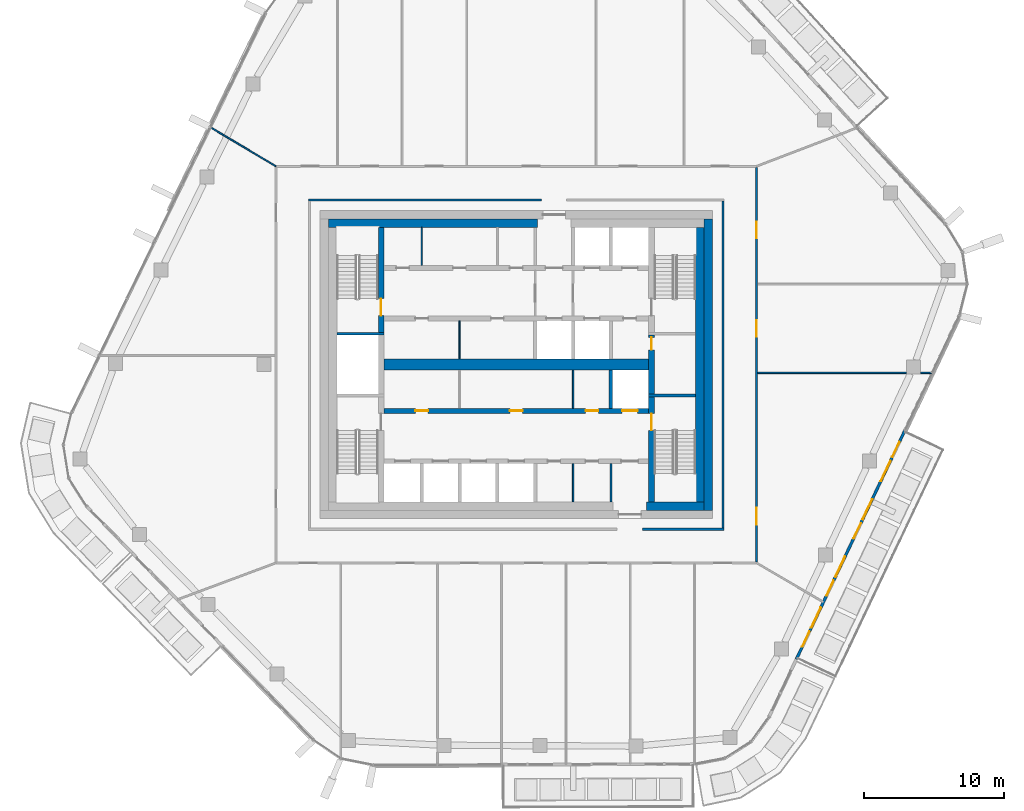
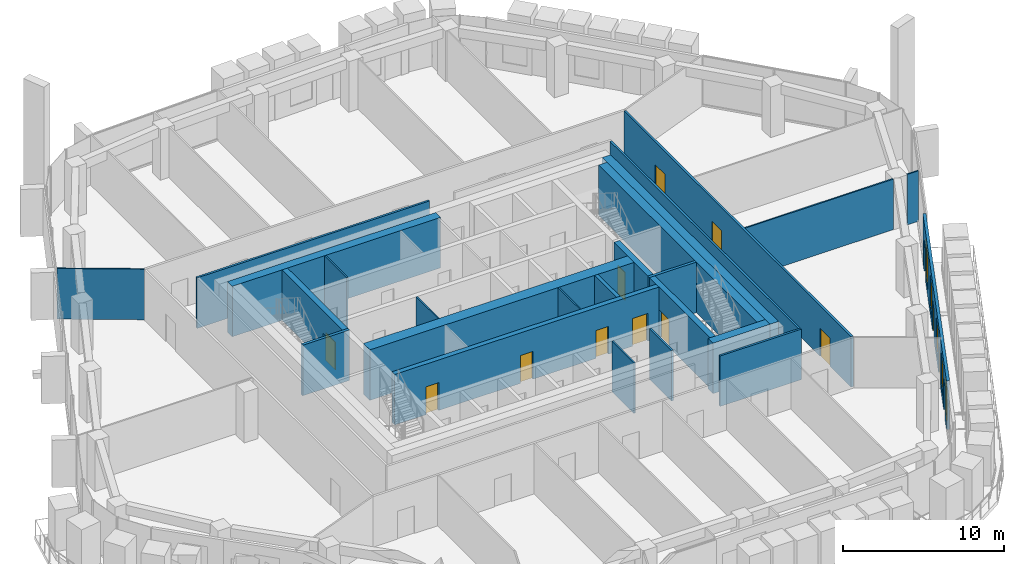
# One storey, part 14 of 24: 25 walls, 14 doors, 4 windows, 18 openings.
"""IFC4 building model written with IfcOpenShell, lengths in metres."""

from ifc_helpers import new_model, si_unit, direction, frame, frame_2d, origin, place, context, subcontext, project, spatial, rectangle, extrude, material, layer, layer_set, type_object, element, fill, save


model = new_model("IFC4")

# Units and contexts
model_context = context("Model", 3, precision=1e-05, world=origin(), true_north=direction((0.0, 1.0)))
body_context = subcontext(model_context, "Body", "Model", "MODEL_VIEW")
ifc_project = project(units=[si_unit("LENGTHUNIT", "METRE"), si_unit("AREAUNIT", "SQUARE_METRE"), si_unit("VOLUMEUNIT", "CUBIC_METRE"), si_unit("PLANEANGLEUNIT", "RADIAN"), si_unit("MASSUNIT", "GRAM", prefix="KILO")], contexts=[model_context])

# Site, building, storey
site_placement = place(None, origin())
site = spatial("IfcSite", under=ifc_project, at=site_placement, CompositionType="ELEMENT")
building_placement = place(site_placement, origin())
building = spatial("IfcBuilding", under=site, at=building_placement, Name="Dongbaek Canopy Tower", CompositionType="ELEMENT")
storey_placement = place(building_placement, frame((0.0, 0.0, 344.60009765625)))
storey = spatial("IfcBuildingStorey", under=building, at=storey_placement, Name="L74", CompositionType="ELEMENT", Elevation=344.60009765625)

# Wall
ifc_material_1 = material(Name="Concrete C60/75", Category="concrete")
ifc_layer_1 = layer(ifc_material_1, 0.800048828125)
ifc_layer_set_1 = layer_set([ifc_layer_1], Name="Core central wall 800 Concrete C60/75")
wall_type_1 = type_object("IfcWallType", Name="Core central wall 800 Concrete C60/75", PredefinedType="SHEAR", material=ifc_layer_set_1)
wall_1_placement = place(storey_placement, frame((-9.449951171875, 0.0, 0.0), z_axis=(0.0, 0.0, 1.0), x_axis=(1.0, 0.0, 0.0)))
element("IfcWall", 1, at=wall_1_placement, inside=storey, type_object=wall_type_1, Name="Core wall", PredefinedType="SHEAR", context=body_context, shape_type="SweptSolid", body=[
    extrude(rectangle(XDim=18.89990234375, YDim=0.800048828125, at=frame_2d((9.449951171875, 0.0))), origin(), (0.0, 0.0, 1.0), 3.81982421875),
])

# Wall, openings, doors
ifc_material_2 = material(Name="Concrete C60/75", Category="concrete")
ifc_layer_2 = layer(ifc_material_2, 0.35009765625)
ifc_layer_set_2 = layer_set([ifc_layer_2], Name="Core lobby wall 350 Concrete C60/75")
wall_type_2 = type_object("IfcWallType", Name="Core lobby wall 350 Concrete C60/75", PredefinedType="SHEAR", material=ifc_layer_set_2)
wall_2_placement = place(storey_placement, frame((-9.449951171875, -3.300048828125, 0.0), z_axis=(0.0, 0.0, 1.0), x_axis=(1.0, 0.0, 0.0)))
wall_2 = element("IfcWall", 2, at=wall_2_placement, inside=storey, type_object=wall_type_2, Name="Core wall", PredefinedType="SHEAR", context=body_context, shape_type="SweptSolid", body=[
    extrude(rectangle(XDim=18.89990234375, YDim=0.35009765625, at=frame_2d((9.449951171875, 0.0))), origin(), (0.0, 0.0, 1.0), 3.81982421875),
])
opening_1_placement = place(wall_2_placement, frame((17.0, 0.0, 0.0)))
opening_1 = element("IfcOpeningElement", 3, at=opening_1_placement, cuts=wall_2, Name="Opening L74-D027", PredefinedType="OPENING", context=body_context, shape_type="SweptSolid", body=[
    extrude(rectangle(XDim=1.10009765625, YDim=2.10009765625, at=frame_2d((0.550048828125, 1.050048828125))), frame((0.0, 0.18505859375, 0.0), z_axis=(0.0, -1.0, 0.0), x_axis=(1.0, 0.0, 0.0)), (0.0, 0.0, 1.0), 0.3701171875),
])
opening_2_placement = place(wall_2_placement, frame((2.25, 0.0, 0.0)))
opening_2 = element("IfcOpeningElement", 4, at=opening_2_placement, cuts=wall_2, Name="Opening L74-D039", PredefinedType="OPENING", context=body_context, shape_type="SweptSolid", body=[
    extrude(rectangle(XDim=0.89990234375, YDim=2.10009765625, at=frame_2d((0.449951171875, 1.050048828125))), frame((0.0, 0.18505859375, 0.0), z_axis=(0.0, -1.0, 0.0), x_axis=(1.0, 0.0, 0.0)), (0.0, 0.0, 1.0), 0.3701171875),
])
opening_3_placement = place(wall_2_placement, frame((9.0, 0.0, 0.0)))
opening_3 = element("IfcOpeningElement", 5, at=opening_3_placement, cuts=wall_2, Name="Opening L74-D040", PredefinedType="OPENING", context=body_context, shape_type="SweptSolid", body=[
    extrude(rectangle(XDim=0.89990234375, YDim=2.10009765625, at=frame_2d((0.449951171875, 1.050048828125))), frame((0.0, 0.18505859375, 0.0), z_axis=(0.0, -1.0, 0.0), x_axis=(1.0, 0.0, 0.0)), (0.0, 0.0, 1.0), 0.3701171875),
])
opening_4_placement = place(wall_2_placement, frame((14.39990234375, 0.0, 0.0)))
opening_4 = element("IfcOpeningElement", 6, at=opening_4_placement, cuts=wall_2, Name="Opening L74-D041", PredefinedType="OPENING", context=body_context, shape_type="SweptSolid", body=[
    extrude(rectangle(XDim=0.89990234375, YDim=2.10009765625, at=frame_2d((0.449951171875, 1.050048828125))), frame((0.0, 0.18505859375, 0.0), z_axis=(0.0, -1.0, 0.0), x_axis=(1.0, 0.0, 0.0)), (0.0, 0.0, 1.0), 0.3701171875),
])
ifc_material_3 = material(Name="Steel", Category="steel")
door_type_1 = type_object("IfcDoorType", Name="Core room door 900 x 2100", OperationType="SINGLE_SWING_LEFT", PredefinedType="DOOR", material=ifc_material_3)
door_1_placement = place(opening_2_placement, origin())
door_1 = element("IfcDoor", 7, at=door_1_placement, inside=storey, type_object=door_type_1, Name="Door L74-D039", OperationType="SINGLE_SWING_LEFT", OverallHeight=2.10009765625, OverallWidth=0.89990234375, PredefinedType="DOOR", context=body_context, shape_type="SweptSolid", body=[
    extrude(rectangle(XDim=0.89990234375, YDim=2.10009765625, at=frame_2d((0.449951171875, 1.050048828125))), frame((0.0, 0.02490234375, 0.0), z_axis=(0.0, -1.0, 0.0), x_axis=(1.0, 0.0, 0.0)), (0.0, 0.0, 1.0), 0.050048828125),
])
fill(opening_2, door_1)
door_2_placement = place(opening_3_placement, origin())
door_2 = element("IfcDoor", 8, at=door_2_placement, inside=storey, type_object=door_type_1, Name="Door L74-D040", OperationType="SINGLE_SWING_RIGHT", OverallHeight=2.10009765625, OverallWidth=0.89990234375, PredefinedType="DOOR", context=body_context, shape_type="SweptSolid", body=[
    extrude(rectangle(XDim=0.89990234375, YDim=2.10009765625, at=frame_2d((0.449951171875, 1.050048828125))), frame((0.0, 0.02490234375, 0.0), z_axis=(0.0, -1.0, 0.0), x_axis=(1.0, 0.0, 0.0)), (0.0, 0.0, 1.0), 0.050048828125),
])
fill(opening_3, door_2)
door_3_placement = place(opening_4_placement, origin())
door_3 = element("IfcDoor", 9, at=door_3_placement, inside=storey, type_object=door_type_1, Name="Door L74-D041", OperationType="SINGLE_SWING_LEFT", OverallHeight=2.10009765625, OverallWidth=0.89990234375, PredefinedType="DOOR", context=body_context, shape_type="SweptSolid", body=[
    extrude(rectangle(XDim=0.89990234375, YDim=2.10009765625, at=frame_2d((0.449951171875, 1.050048828125))), frame((0.0, 0.02490234375, 0.0), z_axis=(0.0, -1.0, 0.0), x_axis=(1.0, 0.0, 0.0)), (0.0, 0.0, 1.0), 0.050048828125),
])
fill(opening_4, door_3)
ifc_material_4 = material(Name="Stainless steel", Category="steel")
door_type_2 = type_object("IfcDoorType", Name="Lift landing door 1100 x 2100", OperationType="DOUBLE_DOOR_SLIDING", PredefinedType="DOOR", material=ifc_material_4)
door_4_placement = place(opening_1_placement, origin())
door_4 = element("IfcDoor", 10, at=door_4_placement, inside=storey, type_object=door_type_2, Name="Landing door SV2", OperationType="DOUBLE_DOOR_SLIDING", OverallHeight=2.10009765625, OverallWidth=1.10009765625, PredefinedType="DOOR", context=body_context, shape_type="SweptSolid", body=[
    extrude(rectangle(XDim=1.10009765625, YDim=2.10009765625, at=frame_2d((0.550048828125, 1.050048828125))), frame((0.0, 0.02490234375, 0.0), z_axis=(0.0, -1.0, 0.0), x_axis=(1.0, 0.0, 0.0)), (0.0, 0.0, 1.0), 0.050048828125),
])
fill(opening_1, door_4)

# Walls
ifc_material_5 = material(Name="Concrete C80/95", Category="concrete")
ifc_layer_3 = layer(ifc_material_5, 0.60009765625)
ifc_layer_set_3 = layer_set([ifc_layer_3], Name="Core outer wall 600 Concrete C80/95")
wall_type_3 = type_object("IfcWallType", Name="Core outer wall 600 Concrete C80/95", PredefinedType="SHEAR", material=ifc_layer_set_3)
wall_3_placement = place(storey_placement, frame((13.699951171875, 10.39990234375, 0.0), z_axis=(0.0, 0.0, 1.0), x_axis=(0.0, -1.0, 0.0)))
element("IfcWall", 11, at=wall_3_placement, inside=storey, type_object=wall_type_3, Name="Core wall", PredefinedType="SHEAR", context=body_context, shape_type="SweptSolid", body=[
    extrude(rectangle(XDim=20.7998046875, YDim=0.60009765625, at=frame_2d((10.39990234375, 0.0))), origin(), (0.0, 0.0, 1.0), 3.81982421875),
])
ifc_material_6 = material(Name="Concrete C60/75", Category="concrete")
ifc_layer_4 = layer(ifc_material_6, 0.60009765625)
ifc_layer_set_4 = layer_set([ifc_layer_4], Name="Core wall lining 600 Concrete C60/75")
wall_type_4 = type_object("IfcWallType", Name="Core wall lining 600 Concrete C60/75", PredefinedType="SHEAR", material=ifc_layer_set_4)
wall_4_placement = place(storey_placement, frame((-13.39990234375, 10.10009765625, 0.0), z_axis=(0.0, 0.0, 1.0), x_axis=(1.0, 0.0, 0.0)))
element("IfcWall", 12, at=wall_4_placement, inside=storey, type_object=wall_type_4, Name="Core wall lining", PredefinedType="SHEAR", context=body_context, shape_type="SweptSolid", body=[
    extrude(rectangle(XDim=14.89990234375, YDim=0.60009765625, at=frame_2d((7.449951171875, 0.0))), origin(), (0.0, 0.0, 1.0), 3.81982421875),
])
wall_5_placement = place(storey_placement, frame((13.39990234375, -10.10009765625, 0.0), z_axis=(0.0, 0.0, 1.0), x_axis=(-1.0, 0.0, 0.0)))
element("IfcWall", 13, at=wall_5_placement, inside=storey, type_object=wall_type_4, Name="Core wall lining", PredefinedType="SHEAR", context=body_context, shape_type="SweptSolid", body=[
    extrude(rectangle(XDim=4.099853515625, YDim=0.60009765625, at=frame_2d((2.0498046875, 0.0))), origin(), (0.0, 0.0, 1.0), 3.81982421875),
])
wall_6_placement = place(storey_placement, frame((13.10009765625, 9.800048828125, 0.0), z_axis=(0.0, 0.0, 1.0), x_axis=(0.0, -1.0, 0.0)))
element("IfcWall", 14, at=wall_6_placement, inside=storey, type_object=wall_type_4, Name="Core wall lining", PredefinedType="SHEAR", context=body_context, shape_type="SweptSolid", body=[
    extrude(rectangle(XDim=19.60009765625, YDim=0.60009765625, at=frame_2d((9.800048828125, 0.0))), origin(), (0.0, 0.0, 1.0), 3.81982421875),
])
ifc_material_7 = material(Name="Gypsum board partition, steel stud, 2 x 15 mm fire board", Category="steel")
ifc_layer_5 = layer(ifc_material_7, 0.14990234375)
ifc_layer_set_5 = layer_set([ifc_layer_5], Name="Fire-rated partition 150 gypsum board")
wall_type_5 = type_object("IfcWallType", Name="Fire-rated partition 150 gypsum board", PredefinedType="PARTITIONING", material=ifc_layer_set_5)
wall_7_placement = place(storey_placement, frame((9.0, -11.75, 0.0), z_axis=(0.0, 0.0, 1.0), x_axis=(1.0, 0.0, 0.0)))
element("IfcWall", 15, at=wall_7_placement, inside=storey, type_object=wall_type_5, Name="Corridor partition", PredefinedType="PARTITIONING", context=body_context, shape_type="SweptSolid", body=[
    extrude(rectangle(XDim=5.824951171875, YDim=0.14990234375, at=frame_2d((2.91259765625, 0.0))), origin(), (0.0, 0.0, 1.0), 3.81982421875),
])
wall_8_placement = place(storey_placement, frame((-14.824951171875, 11.75, 0.0), z_axis=(0.0, 0.0, 1.0), x_axis=(1.0, 0.0, 0.0)))
element("IfcWall", 16, at=wall_8_placement, inside=storey, type_object=wall_type_5, Name="Corridor partition", PredefinedType="PARTITIONING", context=body_context, shape_type="SweptSolid", body=[
    extrude(rectangle(XDim=16.625, YDim=0.14990234375, at=frame_2d((8.3125, 0.0))), origin(), (0.0, 0.0, 1.0), 3.81982421875),
])

# Wall, openings, doors
wall_9_placement = place(storey_placement, frame((17.14990234375, 14.074951171875, 0.0), z_axis=(0.0, 0.0, 1.0), x_axis=(0.0, -1.0, 0.0)))
wall_9 = element("IfcWall", 17, at=wall_9_placement, inside=storey, type_object=wall_type_5, Name="Corridor partition", PredefinedType="PARTITIONING", context=body_context, shape_type="SweptSolid", body=[
    extrude(rectangle(XDim=28.14990234375, YDim=0.14990234375, at=frame_2d((14.074951171875, 0.0))), origin(), (0.0, 0.0, 1.0), 3.81982421875),
])
opening_5_placement = place(wall_9_placement, frame((24.291748046875, 0.0, 0.0)))
opening_5 = element("IfcOpeningElement", 18, at=opening_5_placement, cuts=wall_9, Name="Opening L74-D009", PredefinedType="OPENING", context=body_context, shape_type="SweptSolid", body=[
    extrude(rectangle(XDim=1.199951171875, YDim=2.10009765625, at=frame_2d((0.60009765625, 1.050048828125))), frame((0.0, 0.0849609375, 0.0), z_axis=(0.0, -1.0, 0.0), x_axis=(1.0, 0.0, 0.0)), (0.0, 0.0, 1.0), 0.169921875),
])
opening_6_placement = place(wall_9_placement, frame((10.89794921875, 0.0, 0.0)))
opening_6 = element("IfcOpeningElement", 19, at=opening_6_placement, cuts=wall_9, Name="Opening L74-D010", PredefinedType="OPENING", context=body_context, shape_type="SweptSolid", body=[
    extrude(rectangle(XDim=1.199951171875, YDim=2.10009765625, at=frame_2d((0.60009765625, 1.050048828125))), frame((0.0, 0.0849609375, 0.0), z_axis=(0.0, -1.0, 0.0), x_axis=(1.0, 0.0, 0.0)), (0.0, 0.0, 1.0), 0.169921875),
])
opening_7_placement = place(wall_9_placement, frame((3.873291015625, 0.0, 0.0)))
opening_7 = element("IfcOpeningElement", 20, at=opening_7_placement, cuts=wall_9, Name="Opening L74-D011", PredefinedType="OPENING", context=body_context, shape_type="SweptSolid", body=[
    extrude(rectangle(XDim=1.199951171875, YDim=2.10009765625, at=frame_2d((0.60009765625, 1.050048828125))), frame((0.0, 0.0849609375, 0.0), z_axis=(0.0, -1.0, 0.0), x_axis=(1.0, 0.0, 0.0)), (0.0, 0.0, 1.0), 0.169921875),
])
ifc_material_8 = material(Name="Timber veneered door leaf", Category="wood")
door_type_3 = type_object("IfcDoorType", Name="Room door 1200 x 2100", OperationType="SINGLE_SWING_LEFT", PredefinedType="DOOR", material=ifc_material_8)
door_5_placement = place(opening_5_placement, origin())
door_5 = element("IfcDoor", 21, at=door_5_placement, inside=storey, type_object=door_type_3, Name="Door L74-D009", OperationType="SINGLE_SWING_RIGHT", OverallHeight=2.10009765625, OverallWidth=1.199951171875, PredefinedType="DOOR", context=body_context, shape_type="SweptSolid", body=[
    extrude(rectangle(XDim=1.199951171875, YDim=2.10009765625, at=frame_2d((0.60009765625, 1.050048828125))), frame((0.0, 0.02490234375, 0.0), z_axis=(0.0, -1.0, 0.0), x_axis=(1.0, 0.0, 0.0)), (0.0, 0.0, 1.0), 0.050048828125),
])
fill(opening_5, door_5)
door_6_placement = place(opening_6_placement, origin())
door_6 = element("IfcDoor", 22, at=door_6_placement, inside=storey, type_object=door_type_3, Name="Door L74-D010", OperationType="SINGLE_SWING_LEFT", OverallHeight=2.10009765625, OverallWidth=1.199951171875, PredefinedType="DOOR", context=body_context, shape_type="SweptSolid", body=[
    extrude(rectangle(XDim=1.199951171875, YDim=2.10009765625, at=frame_2d((0.60009765625, 1.050048828125))), frame((0.0, 0.02490234375, 0.0), z_axis=(0.0, -1.0, 0.0), x_axis=(1.0, 0.0, 0.0)), (0.0, 0.0, 1.0), 0.050048828125),
])
fill(opening_6, door_6)
door_7_placement = place(opening_7_placement, origin())
door_7 = element("IfcDoor", 23, at=door_7_placement, inside=storey, type_object=door_type_3, Name="Door L74-D011", OperationType="SINGLE_SWING_RIGHT", OverallHeight=2.10009765625, OverallWidth=1.199951171875, PredefinedType="DOOR", context=body_context, shape_type="SweptSolid", body=[
    extrude(rectangle(XDim=1.199951171875, YDim=2.10009765625, at=frame_2d((0.60009765625, 1.050048828125))), frame((0.0, 0.02490234375, 0.0), z_axis=(0.0, -1.0, 0.0), x_axis=(1.0, 0.0, 0.0)), (0.0, 0.0, 1.0), 0.050048828125),
])
fill(opening_7, door_7)

# Walls
wall_10_placement = place(storey_placement, frame((14.75, -11.675048828125, 0.0), z_axis=(0.0, 0.0, 1.0), x_axis=(0.0, 1.0, 0.0)))
element("IfcWall", 24, at=wall_10_placement, inside=storey, type_object=wall_type_5, Name="Corridor partition", PredefinedType="PARTITIONING", context=body_context, shape_type="SweptSolid", body=[
    extrude(rectangle(XDim=23.35009765625, YDim=0.14990234375, at=frame_2d((11.675048828125, 0.0))), origin(), (0.0, 0.0, 1.0), 3.81982421875),
])
wall_11_placement = place(storey_placement, frame((6.75, -9.800048828125, 0.0), z_axis=(0.0, 0.0, 1.0), x_axis=(0.0, 1.0, 0.0)))
element("IfcWall", 25, at=wall_11_placement, inside=storey, type_object=wall_type_5, Name="Fire lobby partition", PredefinedType="PARTITIONING", context=body_context, shape_type="SweptSolid", body=[
    extrude(rectangle(XDim=2.72509765625, YDim=0.14990234375, at=frame_2d((1.362548828125, 0.0))), origin(), (0.0, 0.0, 1.0), 3.81982421875),
])
ifc_material_9 = material(Name="Concrete C40/50", Category="concrete")
ifc_layer_6 = layer(ifc_material_9, 0.25)
ifc_layer_set_6 = layer_set([ifc_layer_6], Name="Lift shaft wall 250 Concrete C40/50")
wall_type_6 = type_object("IfcWallType", Name="Lift shaft wall 250 Concrete C40/50", PredefinedType="SOLIDWALL", material=ifc_layer_set_6)
wall_12_placement = place(storey_placement, frame((6.75, -3.125, 0.0), z_axis=(0.0, 0.0, 1.0), x_axis=(0.0, 1.0, 0.0)))
element("IfcWall", 26, at=wall_12_placement, inside=storey, type_object=wall_type_6, Name="Lift shaft wall", PredefinedType="SOLIDWALL", context=body_context, shape_type="SweptSolid", body=[
    extrude(rectangle(XDim=2.72509765625, YDim=0.25, at=frame_2d((1.362548828125, 0.0))), origin(), (0.0, 0.0, 1.0), 3.81982421875),
])
ifc_material_10 = material(Name="Gypsum board partition, steel stud, 2 x 12.5 mm board", Category="steel")
ifc_layer_7 = layer(ifc_material_10, 0.10009765625)
ifc_layer_set_7 = layer_set([ifc_layer_7], Name="Partition 100 gypsum board")
wall_type_7 = type_object("IfcWallType", Name="Partition 100 gypsum board", PredefinedType="PARTITIONING", material=ifc_layer_set_7)
wall_13_placement = place(storey_placement, frame((17.22509765625, -0.592041015625, 0.0), z_axis=(0.0, 0.0, 1.0), x_axis=(1.0, 0.0, 0.0)))
element("IfcWall", 27, at=wall_13_placement, inside=storey, type_object=wall_type_7, Name="Partition", PredefinedType="PARTITIONING", context=body_context, shape_type="SweptSolid", body=[
    extrude(rectangle(XDim=10.6259765625, YDim=0.10009765625, at=frame_2d((5.31298828125, 0.0))), origin(), (0.0, 0.0, 1.0), 3.81982421875),
])
wall_14_placement = place(storey_placement, frame((28.85107421875, -0.592041015625, 0.0), z_axis=(0.0, 0.0, 1.0), x_axis=(1.0, 0.0, 0.0)))
element("IfcWall", 28, at=wall_14_placement, inside=storey, type_object=wall_type_7, Name="Partition", PredefinedType="PARTITIONING", context=body_context, shape_type="SweptSolid", body=[
    extrude(rectangle(XDim=0.803466796875, YDim=0.10009765625, at=frame_2d((0.40185546875, 0.0))), origin(), (0.0, 0.0, 1.0), 3.81982421875),
])
wall_15_placement = place(storey_placement, frame((-21.827880859375, 16.93505859375, 0.0), z_axis=(0.0, 0.0, 1.0), x_axis=(0.859229054867, -0.51159107818, 0.0)))
element("IfcWall", 29, at=wall_15_placement, inside=storey, type_object=wall_type_7, Name="Partition", PredefinedType="PARTITIONING", context=body_context, shape_type="SweptSolid", body=[
    extrude(rectangle(XDim=5.444091796875, YDim=0.10009765625, at=frame_2d((2.72216796875, 0.0))), origin(), (0.0, 0.0, 1.0), 3.81982421875),
])
for number, where, z_axis, x_axis, name in (
    (30, (4.050048828125, -9.800048828125, 0.0), (0.0, 0.0, 1.0), (0.0, 1.0, 0.0), "Core partition"),
    (31, (4.050048828125, -3.125, 0.0), (0.0, 0.0, 1.0), (0.0, 1.0, 0.0), "Core partition"),
    (32, (-4.050048828125, 0.39990234375, 0.0), (0.0, 0.0, 1.0), (0.0, 1.0, 0.0), "Core partition"),
    (33, (-6.75, 7.074951171875, 0.0), (0.0, 0.0, 1.0), (0.0, 1.0, 0.0), "Core partition"),
):
    element("IfcWall", number, at=place(storey_placement, frame(where, z_axis=z_axis, x_axis=x_axis)), inside=storey, type_object=wall_type_7, Name=name, PredefinedType="PARTITIONING", context=body_context, shape_type="SweptSolid", body=[
        extrude(rectangle(XDim=2.72509765625, YDim=0.10009765625, at=frame_2d((1.362548828125, 0.0))), origin(), (0.0, 0.0, 1.0), 3.81982421875),
    ])
ifc_material_11 = material(Name="Concrete C60/75", Category="concrete")
ifc_layer_8 = layer(ifc_material_11, 0.199951171875)
ifc_layer_set_8 = layer_set([ifc_layer_8], Name="Riser wall 200 Concrete C60/75")
wall_type_8 = type_object("IfcWallType", Name="Riser wall 200 Concrete C60/75", PredefinedType="SHEAR", material=ifc_layer_set_8)
for number, where, z_axis, x_axis, name in (
    (34, (-9.449951171875, 2.199951171875, 0.0), (0.0, 0.0, 1.0), (-1.0, 0.0, 0.0), "Riser wall"),
    (35, (9.449951171875, -2.199951171875, 0.0), (0.0, 0.0, 1.0), (1.0, 0.0, 0.0), "Riser wall"),
):
    element("IfcWall", number, at=place(storey_placement, frame(where, z_axis=z_axis, x_axis=x_axis)), inside=storey, type_object=wall_type_8, Name=name, PredefinedType="SHEAR", context=body_context, shape_type="SweptSolid", body=[
        extrude(rectangle(XDim=3.35009765625, YDim=0.199951171875, at=frame_2d((1.675048828125, 0.0))), origin(), (0.0, 0.0, 1.0), 3.81982421875),
    ])

# Wall, opening, door
ifc_material_12 = material(Name="Concrete C60/75", Category="concrete")
ifc_layer_9 = layer(ifc_material_12, 0.39990234375)
ifc_layer_set_9 = layer_set([ifc_layer_9], Name="Stair wall 400 Concrete C60/75")
wall_type_9 = type_object("IfcWallType", Name="Stair wall 400 Concrete C60/75", PredefinedType="SHEAR", material=ifc_layer_set_9)
wall_16_placement = place(storey_placement, frame((9.64990234375, -2.300048828125, 0.0), z_axis=(0.0, 0.0, 1.0), x_axis=(0.0, -1.0, 0.0)))
wall_16 = element("IfcWall", 36, at=wall_16_placement, inside=storey, type_object=wall_type_9, Name="Stair wall", PredefinedType="SHEAR", context=body_context, shape_type="SweptSolid", body=[
    extrude(rectangle(XDim=7.5, YDim=0.39990234375, at=frame_2d((3.75, 0.0))), origin(), (0.0, 0.0, 1.0), 3.81982421875),
])
opening_8_placement = place(wall_16_placement, frame((1.199951171875, 0.0, 0.0)))
opening_8 = element("IfcOpeningElement", 37, at=opening_8_placement, cuts=wall_16, Name="Opening L74-D046", PredefinedType="OPENING", context=body_context, shape_type="SweptSolid", body=[
    extrude(rectangle(XDim=1.199951171875, YDim=2.10009765625, at=frame_2d((0.60009765625, 1.050048828125))), frame((0.0, 0.2099609375, 0.0), z_axis=(0.0, -1.0, 0.0), x_axis=(1.0, 0.0, 0.0)), (0.0, 0.0, 1.0), 0.419921875),
])
ifc_material_13 = material(Name="Steel", Category="steel")
door_type_4 = type_object("IfcDoorType", Name="Stair door 1200 x 2100", OperationType="SINGLE_SWING_LEFT", PredefinedType="DOOR", material=ifc_material_13)
door_8_placement = place(opening_8_placement, origin())
door_8 = element("IfcDoor", 38, at=door_8_placement, inside=storey, type_object=door_type_4, Name="Stair B door", OperationType="SINGLE_SWING_RIGHT", OverallHeight=2.10009765625, OverallWidth=1.199951171875, PredefinedType="DOOR", context=body_context, shape_type="SweptSolid", body=[
    extrude(rectangle(XDim=1.199951171875, YDim=2.10009765625, at=frame_2d((0.60009765625, 1.050048828125))), frame((0.0, 0.02490234375, 0.0), z_axis=(0.0, -1.0, 0.0), x_axis=(1.0, 0.0, 0.0)), (0.0, 0.0, 1.0), 0.050048828125),
])
fill(opening_8, door_8)

wall_17_placement = place(storey_placement, frame((9.64990234375, 2.10009765625, 0.0), z_axis=(0.0, 0.0, 1.0), x_axis=(0.0, -1.0, 0.0)))
wall_17 = element("IfcWall", 39, at=wall_17_placement, inside=storey, type_object=wall_type_9, Name="Stair wall", PredefinedType="SHEAR", context=body_context, shape_type="SweptSolid", body=[
    extrude(rectangle(XDim=4.2001953125, YDim=0.39990234375, at=frame_2d((2.10009765625, 0.0))), origin(), (0.0, 0.0, 1.0), 3.81982421875),
])
opening_9_placement = place(wall_17_placement, frame((0.14990234375, 0.0, 0.0)))
opening_9 = element("IfcOpeningElement", 40, at=opening_9_placement, cuts=wall_17, Name="Opening L74-D019", PredefinedType="OPENING", context=body_context, shape_type="SweptSolid", body=[
    extrude(rectangle(XDim=0.89990234375, YDim=2.10009765625, at=frame_2d((0.449951171875, 1.050048828125))), frame((0.0, 0.2099609375, 0.0), z_axis=(0.0, -1.0, 0.0), x_axis=(1.0, 0.0, 0.0)), (0.0, 0.0, 1.0), 0.419921875),
])
door_9_placement = place(opening_9_placement, origin())
door_9 = element("IfcDoor", 41, at=door_9_placement, inside=storey, type_object=door_type_1, Name="Door L74-D019", OperationType="SINGLE_SWING_RIGHT", OverallHeight=2.10009765625, OverallWidth=0.89990234375, PredefinedType="DOOR", context=body_context, shape_type="SweptSolid", body=[
    extrude(rectangle(XDim=0.89990234375, YDim=2.10009765625, at=frame_2d((0.449951171875, 1.050048828125))), frame((0.0, 0.02490234375, 0.0), z_axis=(0.0, -1.0, 0.0), x_axis=(1.0, 0.0, 0.0)), (0.0, 0.0, 1.0), 0.050048828125),
])
fill(opening_9, door_9)

wall_18_placement = place(storey_placement, frame((-9.64990234375, 2.300048828125, 0.0), z_axis=(0.0, 0.0, 1.0), x_axis=(0.0, 1.0, 0.0)))
wall_18 = element("IfcWall", 42, at=wall_18_placement, inside=storey, type_object=wall_type_9, Name="Stair wall", PredefinedType="SHEAR", context=body_context, shape_type="SweptSolid", body=[
    extrude(rectangle(XDim=7.5, YDim=0.39990234375, at=frame_2d((3.75, 0.0))), origin(), (0.0, 0.0, 1.0), 3.81982421875),
])
opening_10_placement = place(wall_18_placement, frame((1.199951171875, 0.0, 0.0)))
opening_10 = element("IfcOpeningElement", 43, at=opening_10_placement, cuts=wall_18, Name="Opening L74-D045", PredefinedType="OPENING", context=body_context, shape_type="SweptSolid", body=[
    extrude(rectangle(XDim=1.199951171875, YDim=2.10009765625, at=frame_2d((0.60009765625, 1.050048828125))), frame((0.0, 0.2099609375, 0.0), z_axis=(0.0, -1.0, 0.0), x_axis=(1.0, 0.0, 0.0)), (0.0, 0.0, 1.0), 0.419921875),
])
door_10_placement = place(opening_10_placement, origin())
door_10 = element("IfcDoor", 44, at=door_10_placement, inside=storey, type_object=door_type_4, Name="Stair C door", OperationType="SINGLE_SWING_RIGHT", OverallHeight=2.10009765625, OverallWidth=1.199951171875, PredefinedType="DOOR", context=body_context, shape_type="SweptSolid", body=[
    extrude(rectangle(XDim=1.199951171875, YDim=2.10009765625, at=frame_2d((0.60009765625, 1.050048828125))), frame((0.0, 0.02490234375, 0.0), z_axis=(0.0, -1.0, 0.0), x_axis=(1.0, 0.0, 0.0)), (0.0, 0.0, 1.0), 0.050048828125),
])
fill(opening_10, door_10)

# Wall, openings, doors, windows
ifc_material_14 = material(Name="Aluminium window wall", Category="aluminium")
ifc_layer_10 = layer(ifc_material_14, 0.199951171875)
ifc_layer_set_10 = layer_set([ifc_layer_10], Name="Window wall 200")
wall_type_10 = type_object("IfcWallType", Name="Window wall 200", PredefinedType="SOLIDWALL", material=ifc_layer_set_10)
wall_19_placement = place(storey_placement, frame((19.9775390625, -21.041748046875, 0.0), z_axis=(0.0, 0.0, 1.0), x_axis=(0.428526209531, 0.903529350793, 0.0)))
wall_19 = element("IfcWall", 45, at=wall_19_placement, inside=storey, type_object=wall_type_10, Name="Window wall L74 5", PredefinedType="SOLIDWALL", context=body_context, shape_type="SweptSolid", body=[
    extrude(rectangle(XDim=18.10693359375, YDim=0.199951171875, at=frame_2d((9.053466796875, 0.0))), origin(), (0.0, 0.0, 1.0), 3.699951171875),
])
opening_11_placement = place(wall_19_placement, frame((2.5, 0.0, 0.60009765625)))
opening_11 = element("IfcOpeningElement", 46, at=opening_11_placement, cuts=wall_19, Name="Opening W1", PredefinedType="OPENING", context=body_context, shape_type="SweptSolid", body=[
    extrude(rectangle(XDim=1.60009765625, YDim=2.39990234375, at=frame_2d((0.800048828125, 1.199951171875))), frame((0.0, 0.10986328125, 0.0), z_axis=(0.0, -1.0, 0.0), x_axis=(1.0, 0.0, 0.0)), (0.0, 0.0, 1.0), 0.219970703125),
])
opening_12_placement = place(wall_19_placement, frame((1.0, 0.0, 0.0)))
opening_12 = element("IfcOpeningElement", 47, at=opening_12_placement, cuts=wall_19, Name="Opening L74-B13", PredefinedType="OPENING", context=body_context, shape_type="SweptSolid", body=[
    extrude(rectangle(XDim=1.199951171875, YDim=2.39990234375, at=frame_2d((0.60009765625, 1.199951171875))), frame((0.0, 0.10986328125, 0.0), z_axis=(0.0, -1.0, 0.0), x_axis=(1.0, 0.0, 0.0)), (0.0, 0.0, 1.0), 0.219970703125),
])
opening_13_placement = place(wall_19_placement, frame((6.526611328125, 0.0, 0.60009765625)))
opening_13 = element("IfcOpeningElement", 48, at=opening_13_placement, cuts=wall_19, Name="Opening W1", PredefinedType="OPENING", context=body_context, shape_type="SweptSolid", body=[
    extrude(rectangle(XDim=1.60009765625, YDim=2.39990234375, at=frame_2d((0.800048828125, 1.199951171875))), frame((0.0, 0.10986328125, 0.0), z_axis=(0.0, -1.0, 0.0), x_axis=(1.0, 0.0, 0.0)), (0.0, 0.0, 1.0), 0.219970703125),
])
opening_14_placement = place(wall_19_placement, frame((5.026611328125, 0.0, 0.0)))
opening_14 = element("IfcOpeningElement", 49, at=opening_14_placement, cuts=wall_19, Name="Opening L74-B14", PredefinedType="OPENING", context=body_context, shape_type="SweptSolid", body=[
    extrude(rectangle(XDim=1.199951171875, YDim=2.39990234375, at=frame_2d((0.60009765625, 1.199951171875))), frame((0.0, 0.10986328125, 0.0), z_axis=(0.0, -1.0, 0.0), x_axis=(1.0, 0.0, 0.0)), (0.0, 0.0, 1.0), 0.219970703125),
])
opening_15_placement = place(wall_19_placement, frame((11.053466796875, 0.0, 0.60009765625)))
opening_15 = element("IfcOpeningElement", 50, at=opening_15_placement, cuts=wall_19, Name="Opening W1", PredefinedType="OPENING", context=body_context, shape_type="SweptSolid", body=[
    extrude(rectangle(XDim=1.60009765625, YDim=2.39990234375, at=frame_2d((0.800048828125, 1.199951171875))), frame((0.0, 0.10986328125, 0.0), z_axis=(0.0, -1.0, 0.0), x_axis=(1.0, 0.0, 0.0)), (0.0, 0.0, 1.0), 0.219970703125),
])
opening_16_placement = place(wall_19_placement, frame((9.553466796875, 0.0, 0.0)))
opening_16 = element("IfcOpeningElement", 51, at=opening_16_placement, cuts=wall_19, Name="Opening L74-B15", PredefinedType="OPENING", context=body_context, shape_type="SweptSolid", body=[
    extrude(rectangle(XDim=1.199951171875, YDim=2.39990234375, at=frame_2d((0.60009765625, 1.199951171875))), frame((0.0, 0.10986328125, 0.0), z_axis=(0.0, -1.0, 0.0), x_axis=(1.0, 0.0, 0.0)), (0.0, 0.0, 1.0), 0.219970703125),
])
opening_17_placement = place(wall_19_placement, frame((14.080078125, 0.0, 0.60009765625)))
opening_17 = element("IfcOpeningElement", 52, at=opening_17_placement, cuts=wall_19, Name="Opening W1", PredefinedType="OPENING", context=body_context, shape_type="SweptSolid", body=[
    extrude(rectangle(XDim=1.60009765625, YDim=2.39990234375, at=frame_2d((0.800048828125, 1.199951171875))), frame((0.0, 0.10986328125, 0.0), z_axis=(0.0, -1.0, 0.0), x_axis=(1.0, 0.0, 0.0)), (0.0, 0.0, 1.0), 0.219970703125),
])
opening_18_placement = place(wall_19_placement, frame((15.980224609375, 0.0, 0.0)))
opening_18 = element("IfcOpeningElement", 53, at=opening_18_placement, cuts=wall_19, Name="Opening L74-B16", PredefinedType="OPENING", context=body_context, shape_type="SweptSolid", body=[
    extrude(rectangle(XDim=1.199951171875, YDim=2.39990234375, at=frame_2d((0.60009765625, 1.199951171875))), frame((0.0, 0.10986328125, 0.0), z_axis=(0.0, -1.0, 0.0), x_axis=(1.0, 0.0, 0.0)), (0.0, 0.0, 1.0), 0.219970703125),
])
ifc_material_15 = material(Name="Clear glazing in aluminium frame", Category="aluminium")
door_type_5 = type_object("IfcDoorType", Name="Balcony door BD1 1200 x 2400", OperationType="SLIDING_TO_LEFT", PredefinedType="DOOR", material=ifc_material_15)
door_11_placement = place(opening_12_placement, origin())
door_11 = element("IfcDoor", 54, at=door_11_placement, inside=storey, type_object=door_type_5, Name="Balcony door L74-B13", OperationType="SLIDING_TO_LEFT", OverallHeight=2.39990234375, OverallWidth=1.199951171875, PredefinedType="DOOR", context=body_context, shape_type="SweptSolid", body=[
    extrude(rectangle(XDim=1.199951171875, YDim=2.39990234375, at=frame_2d((0.60009765625, 1.199951171875))), frame((0.0, 0.02490234375, 0.0), z_axis=(0.0, -1.0, 0.0), x_axis=(1.0, 0.0, 0.0)), (0.0, 0.0, 1.0), 0.050048828125),
])
fill(opening_12, door_11)
door_12_placement = place(opening_14_placement, origin())
door_12 = element("IfcDoor", 55, at=door_12_placement, inside=storey, type_object=door_type_5, Name="Balcony door L74-B14", OperationType="SLIDING_TO_LEFT", OverallHeight=2.39990234375, OverallWidth=1.199951171875, PredefinedType="DOOR", context=body_context, shape_type="SweptSolid", body=[
    extrude(rectangle(XDim=1.199951171875, YDim=2.39990234375, at=frame_2d((0.60009765625, 1.199951171875))), frame((0.0, 0.02490234375, 0.0), z_axis=(0.0, -1.0, 0.0), x_axis=(1.0, 0.0, 0.0)), (0.0, 0.0, 1.0), 0.050048828125),
])
fill(opening_14, door_12)
door_13_placement = place(opening_16_placement, origin())
door_13 = element("IfcDoor", 56, at=door_13_placement, inside=storey, type_object=door_type_5, Name="Balcony door L74-B15", OperationType="SLIDING_TO_LEFT", OverallHeight=2.39990234375, OverallWidth=1.199951171875, PredefinedType="DOOR", context=body_context, shape_type="SweptSolid", body=[
    extrude(rectangle(XDim=1.199951171875, YDim=2.39990234375, at=frame_2d((0.60009765625, 1.199951171875))), frame((0.0, 0.02490234375, 0.0), z_axis=(0.0, -1.0, 0.0), x_axis=(1.0, 0.0, 0.0)), (0.0, 0.0, 1.0), 0.050048828125),
])
fill(opening_16, door_13)
door_14_placement = place(opening_18_placement, origin())
door_14 = element("IfcDoor", 57, at=door_14_placement, inside=storey, type_object=door_type_5, Name="Balcony door L74-B16", OperationType="SLIDING_TO_LEFT", OverallHeight=2.39990234375, OverallWidth=1.199951171875, PredefinedType="DOOR", context=body_context, shape_type="SweptSolid", body=[
    extrude(rectangle(XDim=1.199951171875, YDim=2.39990234375, at=frame_2d((0.60009765625, 1.199951171875))), frame((0.0, 0.02490234375, 0.0), z_axis=(0.0, -1.0, 0.0), x_axis=(1.0, 0.0, 0.0)), (0.0, 0.0, 1.0), 0.050048828125),
])
fill(opening_18, door_14)
ifc_material_16 = material(Name="Clear glazing in aluminium frame", Category="aluminium")
window_type = type_object("IfcWindowType", Name="Window W1 1600 x 2400", PartitioningType="SINGLE_PANEL", PredefinedType="WINDOW", material=ifc_material_16)
window_1_placement = place(opening_11_placement, origin())
window_1 = element("IfcWindow", 58, at=window_1_placement, inside=storey, type_object=window_type, Name="Window L74 5.1", OverallHeight=2.39990234375, OverallWidth=1.60009765625, PartitioningType="SINGLE_PANEL", PredefinedType="WINDOW", context=body_context, shape_type="SweptSolid", body=[
    extrude(rectangle(XDim=1.60009765625, YDim=2.39990234375, at=frame_2d((0.800048828125, 1.199951171875))), frame((0.0, 0.030029296875, 0.0), z_axis=(0.0, -1.0, 0.0), x_axis=(1.0, 0.0, 0.0)), (0.0, 0.0, 1.0), 0.06005859375),
])
fill(opening_11, window_1)
window_2_placement = place(opening_13_placement, origin())
window_2 = element("IfcWindow", 59, at=window_2_placement, inside=storey, type_object=window_type, Name="Window L74 5.2", OverallHeight=2.39990234375, OverallWidth=1.60009765625, PartitioningType="SINGLE_PANEL", PredefinedType="WINDOW", context=body_context, shape_type="SweptSolid", body=[
    extrude(rectangle(XDim=1.60009765625, YDim=2.39990234375, at=frame_2d((0.800048828125, 1.199951171875))), frame((0.0, 0.030029296875, 0.0), z_axis=(0.0, -1.0, 0.0), x_axis=(1.0, 0.0, 0.0)), (0.0, 0.0, 1.0), 0.06005859375),
])
fill(opening_13, window_2)
window_3_placement = place(opening_15_placement, origin())
window_3 = element("IfcWindow", 60, at=window_3_placement, inside=storey, type_object=window_type, Name="Window L74 5.3", OverallHeight=2.39990234375, OverallWidth=1.60009765625, PartitioningType="SINGLE_PANEL", PredefinedType="WINDOW", context=body_context, shape_type="SweptSolid", body=[
    extrude(rectangle(XDim=1.60009765625, YDim=2.39990234375, at=frame_2d((0.800048828125, 1.199951171875))), frame((0.0, 0.030029296875, 0.0), z_axis=(0.0, -1.0, 0.0), x_axis=(1.0, 0.0, 0.0)), (0.0, 0.0, 1.0), 0.06005859375),
])
fill(opening_15, window_3)
window_4_placement = place(opening_17_placement, origin())
window_4 = element("IfcWindow", 61, at=window_4_placement, inside=storey, type_object=window_type, Name="Window L74 5.4", OverallHeight=2.39990234375, OverallWidth=1.60009765625, PartitioningType="SINGLE_PANEL", PredefinedType="WINDOW", context=body_context, shape_type="SweptSolid", body=[
    extrude(rectangle(XDim=1.60009765625, YDim=2.39990234375, at=frame_2d((0.800048828125, 1.199951171875))), frame((0.0, 0.030029296875, 0.0), z_axis=(0.0, -1.0, 0.0), x_axis=(1.0, 0.0, 0.0)), (0.0, 0.0, 1.0), 0.06005859375),
])
fill(opening_17, window_4)

save(model, "model.ifc")
